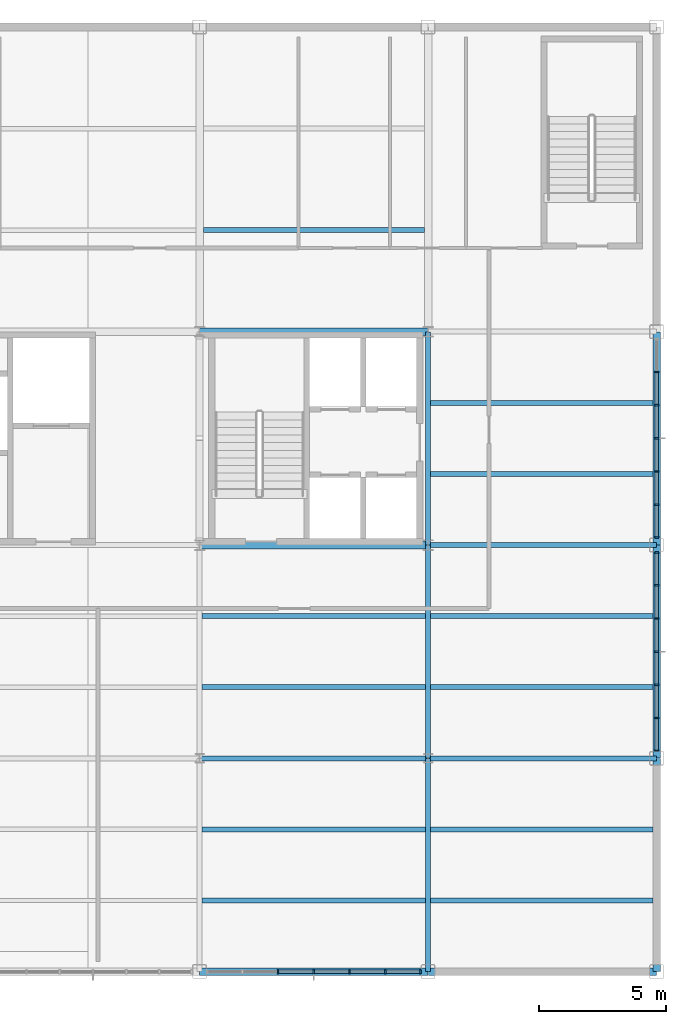
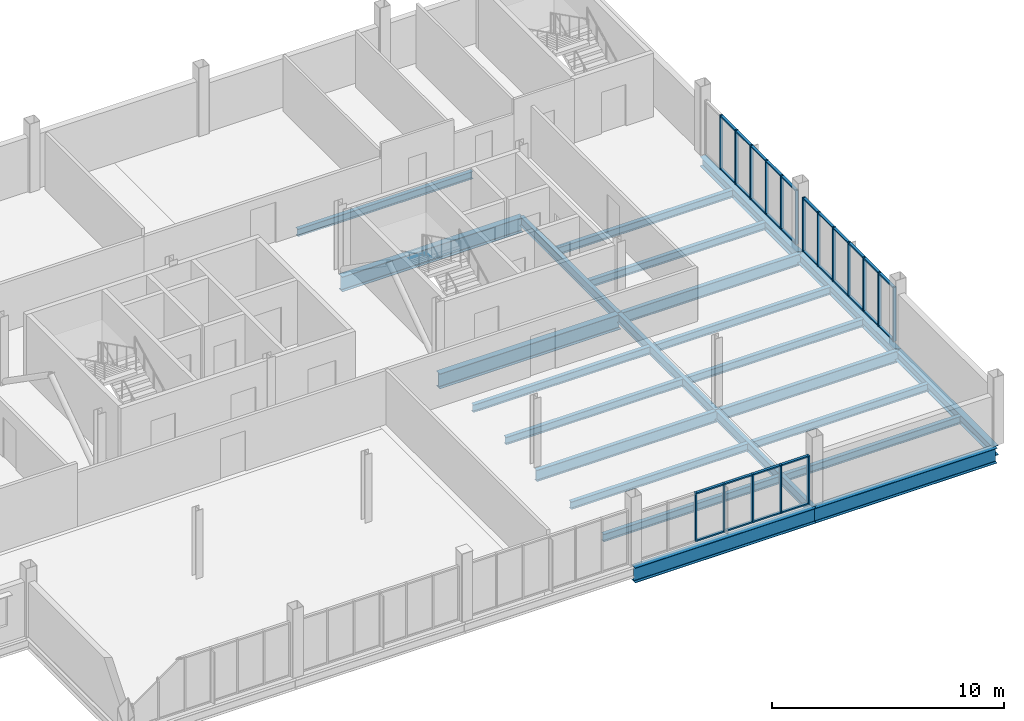
# One storey, part 8 of 18: 48 members, 24 beams, 3 elements without a shape of their own.
"""IFC4 building model written with IfcOpenShell, lengths in metres."""

from ifc_helpers import new_model, si_unit, direction, frame, origin, origin_2d, place, context, subcontext, project, spatial, rectangle, i_section, extrude, material, layer, layer_set, material_profile, profile_set, type_object, element, aggregate, save


model = new_model("IFC4")

# Units and contexts
model_context = context("Model", 3, precision=1e-05, world=origin(), true_north=direction((0.0, 1.0)))
body_context = subcontext(model_context, "Body", "Model", "MODEL_VIEW")
ifc_project = project(units=[si_unit("LENGTHUNIT", "METRE"), si_unit("AREAUNIT", "SQUARE_METRE"), si_unit("VOLUMEUNIT", "CUBIC_METRE"), si_unit("PLANEANGLEUNIT", "RADIAN"), si_unit("MASSUNIT", "GRAM", prefix="KILO")], contexts=[model_context])

# Site, building, storey
site_placement = place(None, origin())
site = spatial("IfcSite", under=ifc_project, at=site_placement, CompositionType="ELEMENT")
building_placement = place(site_placement, origin())
building = spatial("IfcBuilding", under=site, at=building_placement, Name="Yukiwa Park Conservatory and Herbarium", CompositionType="ELEMENT")
storey_placement = place(building_placement, frame((0.0, 0.0, 24.60009765625)))
storey = spatial("IfcBuildingStorey", under=building, at=storey_placement, Name="L06", CompositionType="ELEMENT", Elevation=24.60009765625)

# Beams
ifc_material_1 = material(Name="Steel Q355D", Category="steel")
ifc_material_profile_1 = material_profile(ifc_material_1, i_section(OverallWidth=0.199951171875, OverallDepth=0.5, WebThickness=0.010009765625, FlangeThickness=0.01611328125, FilletRadius=0.02001953125, at=origin_2d()), Name="HN 500x200x10x16")
ifc_profile_set_1 = profile_set([ifc_material_profile_1], Name="Steel Q355D")
beam_type_1 = type_object("IfcBeamType", Name="BM-GRD-HN500", PredefinedType="BEAM", material=ifc_profile_set_1)
for number, where, z_axis, x_axis, name in (
    (1, (159.0, 78.006103515625, -0.5), (0.0, 1.0, 0.0), (-1.0, 0.0, 0.0), "L06 grid girder Y-46"),
    (2, (159.0, 86.406005859375, -0.5), (0.0, 1.0, 0.0), (-1.0, 0.0, 0.0), "L06 grid girder Y-47"),
):
    element("IfcBeam", number, at=place(storey_placement, frame(where, z_axis=z_axis, x_axis=x_axis)), inside=storey, type_object=beam_type_1, Name=name, PredefinedType="BEAM", context=body_context, shape_type="SweptSolid", body=[
        extrude(i_section(OverallWidth=0.199951171875, OverallDepth=0.5, WebThickness=0.010009765625, FlangeThickness=0.01611328125, FilletRadius=0.02001953125, at=origin_2d()), origin(), (0.0, 0.0, 1.0), 8.387939453125),
    ])
beam_1_placement = place(storey_placement, frame((159.0, 94.805908203125, -0.5), z_axis=(0.0, 1.0, 0.0), x_axis=(-1.0, 0.0, 0.0)))
element("IfcBeam", 3, at=beam_1_placement, inside=storey, type_object=beam_type_1, Name="L06 grid girder Y-48", PredefinedType="BEAM", context=body_context, shape_type="SweptSolid", body=[
    extrude(i_section(OverallWidth=0.199951171875, OverallDepth=0.5, WebThickness=0.010009765625, FlangeThickness=0.01611328125, FilletRadius=0.02001953125, at=origin_2d()), origin(), (0.0, 0.0, 1.0), 8.38818359375),
])
ifc_material_2 = material(Name="Steel Q355D", Category="steel")
ifc_material_profile_2 = material_profile(ifc_material_2, i_section(OverallWidth=0.199951171875, OverallDepth=0.60009765625, WebThickness=0.010986328125, FlangeThickness=0.01708984375, FilletRadius=0.02197265625, at=origin_2d()), Name="HN 600x200x11x17")
ifc_profile_set_2 = profile_set([ifc_material_profile_2], Name="Steel Q355D")
beam_type_2 = type_object("IfcBeamType", Name="BM-GRD-HN600", PredefinedType="BEAM", material=ifc_profile_set_2)
for number, where, z_axis, x_axis, name in (
    (4, (150.006103515625, 86.39990234375, -0.550048828125), (1.0, 0.0, 0.0), (0.0, 1.0, 0.0), "L06 grid beam X-10"),
    (5, (159.006103515625, 86.39990234375, -0.550048828125), (1.0, 0.0, 0.0), (0.0, 1.0, 0.0), "L06 grid beam X-11"),
    (6, (159.006103515625, 94.800048828125, -0.550048828125), (1.0, 0.0, 0.0), (0.0, 1.0, 0.0), "L06 grid beam X-17"),
):
    element("IfcBeam", number, at=place(storey_placement, frame(where, z_axis=z_axis, x_axis=x_axis)), inside=storey, type_object=beam_type_2, Name=name, PredefinedType="BEAM", context=body_context, shape_type="SweptSolid", body=[
        extrude(i_section(OverallWidth=0.199951171875, OverallDepth=0.60009765625, WebThickness=0.010986328125, FlangeThickness=0.01708984375, FilletRadius=0.02197265625, at=origin_2d()), origin(), (0.0, 0.0, 1.0), 8.98779296875),
    ])
ifc_material_3 = material(Name="Steel Q355D", Category="steel")
ifc_material_profile_3 = material_profile(ifc_material_3, i_section(OverallWidth=0.198974609375, OverallDepth=0.39599609375, WebThickness=0.007080078125, FlangeThickness=0.010986328125, FilletRadius=0.01611328125, at=origin_2d()), Name="HN 396x199x7x11")
ifc_profile_set_3 = profile_set([ifc_material_profile_3], Name="Steel Q355D")
beam_type_3 = type_object("IfcBeamType", Name="BM-JST-HN396", PredefinedType="JOIST", material=ifc_profile_set_3)
for number, where, z_axis, x_axis, name in (
    (7, (150.095947265625, 80.800048828125, -0.447998046875), (1.0, 0.0, 0.0), (0.0, 1.0, 0.0), "L06 composite floor joist 21"),
    (8, (150.095947265625, 83.60009765625, -0.447998046875), (1.0, 0.0, 0.0), (0.0, 1.0, 0.0), "L06 composite floor joist 22"),
    (9, (150.095947265625, 89.199951171875, -0.447998046875), (1.0, 0.0, 0.0), (0.0, 1.0, 0.0), "L06 composite floor joist 23"),
    (10, (150.095947265625, 92.0, -0.447998046875), (1.0, 0.0, 0.0), (0.0, 1.0, 0.0), "L06 composite floor joist 24"),
):
    element("IfcBeam", number, at=place(storey_placement, frame(where, z_axis=z_axis, x_axis=x_axis)), inside=storey, type_object=beam_type_3, Name=name, PredefinedType="JOIST", context=body_context, shape_type="SweptSolid", body=[
        extrude(i_section(OverallWidth=0.198974609375, OverallDepth=0.39599609375, WebThickness=0.007080078125, FlangeThickness=0.010986328125, FilletRadius=0.01611328125, at=origin_2d()), origin(), (0.0, 0.0, 1.0), 8.80810546875),
    ])
beam_2_placement = place(storey_placement, frame((150.14599609375, 107.199951171875, -0.447998046875), z_axis=(1.0, 0.0, 0.0), x_axis=(0.0, 1.0, 0.0)))
element("IfcBeam", 11, at=beam_2_placement, inside=storey, type_object=beam_type_3, Name="L06 composite floor joist 25", PredefinedType="JOIST", context=body_context, shape_type="SweptSolid", body=[
    extrude(i_section(OverallWidth=0.198974609375, OverallDepth=0.39599609375, WebThickness=0.007080078125, FlangeThickness=0.010986328125, FilletRadius=0.01611328125, at=origin_2d()), origin(), (0.0, 0.0, 1.0), 8.7080078125),
])
for number, where, z_axis, x_axis, name in (
    (12, (159.095947265625, 80.800048828125, -0.447998046875), (1.0, 0.0, 0.0), (0.0, 1.0, 0.0), "L06 composite floor joist 27"),
    (13, (159.095947265625, 83.60009765625, -0.447998046875), (1.0, 0.0, 0.0), (0.0, 1.0, 0.0), "L06 composite floor joist 28"),
    (14, (159.095947265625, 89.199951171875, -0.447998046875), (1.0, 0.0, 0.0), (0.0, 1.0, 0.0), "L06 composite floor joist 29"),
    (15, (159.095947265625, 92.0, -0.447998046875), (1.0, 0.0, 0.0), (0.0, 1.0, 0.0), "L06 composite floor joist 30"),
    (16, (159.095947265625, 97.60009765625, -0.447998046875), (1.0, 0.0, 0.0), (0.0, 1.0, 0.0), "L06 composite floor joist 31"),
    (17, (159.095947265625, 100.39990234375, -0.447998046875), (1.0, 0.0, 0.0), (0.0, 1.0, 0.0), "L06 composite floor joist 32"),
):
    element("IfcBeam", number, at=place(storey_placement, frame(where, z_axis=z_axis, x_axis=x_axis)), inside=storey, type_object=beam_type_3, Name=name, PredefinedType="JOIST", context=body_context, shape_type="SweptSolid", body=[
        extrude(i_section(OverallWidth=0.198974609375, OverallDepth=0.39599609375, WebThickness=0.007080078125, FlangeThickness=0.010986328125, FilletRadius=0.01611328125, at=origin_2d()), origin(), (0.0, 0.0, 1.0), 8.758056640625),
    ])
ifc_material_4 = material(Name="Steel Q355D", Category="steel")
ifc_material_profile_4 = material_profile(ifc_material_4, i_section(OverallWidth=0.300048828125, OverallDepth=0.5, WebThickness=0.010986328125, FlangeThickness=0.01806640625, FilletRadius=0.02392578125, at=origin_2d()), Name="HM 500x300x11x18")
ifc_profile_set_4 = profile_set([ifc_material_profile_4], Name="Steel Q355D")
beam_type_4 = type_object("IfcBeamType", Name="BM-SPN-HN500", PredefinedType="SPANDREL", material=ifc_profile_set_4)
for number, where, z_axis, x_axis, name in (
    (18, (168.0, 78.006103515625, -0.5), (0.0, 1.0, 0.0), (-1.0, 0.0, 0.0), "L06 spandrel girder Y-50"),
    (19, (168.0, 86.406005859375, -0.5), (0.0, 1.0, 0.0), (-1.0, 0.0, 0.0), "L06 spandrel girder Y-51"),
):
    element("IfcBeam", number, at=place(storey_placement, frame(where, z_axis=z_axis, x_axis=x_axis)), inside=storey, type_object=beam_type_4, Name=name, PredefinedType="SPANDREL", context=body_context, shape_type="SweptSolid", body=[
        extrude(i_section(OverallWidth=0.300048828125, OverallDepth=0.5, WebThickness=0.010986328125, FlangeThickness=0.01806640625, FilletRadius=0.02392578125, at=origin_2d()), origin(), (0.0, 0.0, 1.0), 8.387939453125),
    ])
beam_3_placement = place(storey_placement, frame((168.0, 94.805908203125, -0.5), z_axis=(0.0, 1.0, 0.0), x_axis=(-1.0, 0.0, 0.0)))
element("IfcBeam", 20, at=beam_3_placement, inside=storey, type_object=beam_type_4, Name="L06 spandrel girder Y-52", PredefinedType="SPANDREL", context=body_context, shape_type="SweptSolid", body=[
    extrude(i_section(OverallWidth=0.300048828125, OverallDepth=0.5, WebThickness=0.010986328125, FlangeThickness=0.01806640625, FilletRadius=0.02392578125, at=origin_2d()), origin(), (0.0, 0.0, 1.0), 8.38818359375),
])
ifc_material_5 = material(Name="Steel Q355D", Category="steel")
ifc_material_profile_5 = material_profile(ifc_material_5, i_section(OverallWidth=0.300048828125, OverallDepth=0.7919921875, WebThickness=0.013916015625, FlangeThickness=0.02197265625, FilletRadius=0.028076171875, at=origin_2d()), Name="HN 792x300x14x22")
ifc_profile_set_5 = profile_set([ifc_material_profile_5], Name="Steel Q355D")
beam_type_5 = type_object("IfcBeamType", Name="BM-SPN-HN600", PredefinedType="SPANDREL", material=ifc_profile_set_5)
for number, where, z_axis, x_axis, name in (
    (21, (150.006103515625, 78.0, -0.64599609375), (1.0, 0.0, 0.0), (0.0, 1.0, 0.0), "L06 spandrel beam X-4"),
    (22, (159.006103515625, 78.0, -0.64599609375), (1.0, 0.0, 0.0), (0.0, 1.0, 0.0), "L06 spandrel beam X-5"),
    (23, (150.006103515625, 94.800048828125, -0.64599609375), (1.0, 0.0, 0.0), (0.0, 1.0, 0.0), "L06 spandrel beam X-16"),
    (24, (150.006103515625, 103.199951171875, -0.64599609375), (1.0, 0.0, 0.0), (0.0, 1.0, 0.0), "L06 spandrel beam X-22"),
):
    element("IfcBeam", number, at=place(storey_placement, frame(where, z_axis=z_axis, x_axis=x_axis)), inside=storey, type_object=beam_type_5, Name=name, PredefinedType="SPANDREL", context=body_context, shape_type="SweptSolid", body=[
        extrude(i_section(OverallWidth=0.300048828125, OverallDepth=0.7919921875, WebThickness=0.013916015625, FlangeThickness=0.02197265625, FilletRadius=0.028076171875, at=origin_2d()), origin(), (0.0, 0.0, 1.0), 8.98779296875),
    ])

# Curtain wall, members
ifc_material_6 = material(Name="Triple Low-E Insulated Glass", Category="glass")
ifc_layer_1 = layer(ifc_material_6, 0.248046875)
ifc_layer_set_1 = layer_set([ifc_layer_1], Name="Triple Low-E Insulated Glass")
curtain_wall_type_1 = type_object("IfcCurtainWallType", Name="CW-TOWER-LAB-S-1400", PredefinedType="NOTDEFINED", material=ifc_layer_set_1)
curtain_wall_1_placement = place(storey_placement, origin())
curtain_wall_1 = element("IfcCurtainWall", 25, at=curtain_wall_1_placement, inside=storey, type_object=curtain_wall_type_1, Name="L06 unitised curtain wall CW-L06-085", PredefinedType="NOTDEFINED")
ifc_material_7 = material(Name="Anodised Aluminium", Category="aluminium")
member_type_1 = type_object("IfcMemberType", Name="MB-CW-MUL-70X150", PredefinedType="MULLION", material=ifc_material_7)
member_1_placement = place(storey_placement, frame((153.091796875, 78.0, 0.0), z_axis=(0.0, 0.0, 1.0), x_axis=(1.0, 0.0, 0.0)))
member_1 = element("IfcMember", 26, at=member_1_placement, type_object=member_type_1, Name="CW-L06-085 mullion 3", PredefinedType="MULLION", context=body_context, shape_type="SweptSolid", body=[
    extrude(rectangle(XDim=0.070068359375, YDim=0.14990234375, at=origin_2d()), origin(), (0.0, 0.0, 1.0), 2.552978515625),
])
member_2_placement = place(storey_placement, frame((154.5, 78.0, 0.0), z_axis=(0.0, 0.0, 1.0), x_axis=(1.0, 0.0, 0.0)))
member_2 = element("IfcMember", 27, at=member_2_placement, type_object=member_type_1, Name="CW-L06-085 mullion 4", PredefinedType="MULLION", context=body_context, shape_type="SweptSolid", body=[
    extrude(rectangle(XDim=0.070068359375, YDim=0.14990234375, at=origin_2d()), origin(), (0.0, 0.0, 1.0), 2.552978515625),
])
member_3_placement = place(storey_placement, frame((155.908203125, 78.0, 0.0), z_axis=(0.0, 0.0, 1.0), x_axis=(1.0, 0.0, 0.0)))
member_3 = element("IfcMember", 28, at=member_3_placement, type_object=member_type_1, Name="CW-L06-085 mullion 5", PredefinedType="MULLION", context=body_context, shape_type="SweptSolid", body=[
    extrude(rectangle(XDim=0.070068359375, YDim=0.14990234375, at=origin_2d()), origin(), (0.0, 0.0, 1.0), 2.552978515625),
])
member_4_placement = place(storey_placement, frame((157.316650390625, 78.0, 0.0), z_axis=(0.0, 0.0, 1.0), x_axis=(1.0, 0.0, 0.0)))
member_4 = element("IfcMember", 29, at=member_4_placement, type_object=member_type_1, Name="CW-L06-085 mullion 6", PredefinedType="MULLION", context=body_context, shape_type="SweptSolid", body=[
    extrude(rectangle(XDim=0.070068359375, YDim=0.14990234375, at=origin_2d()), origin(), (0.0, 0.0, 1.0), 2.552978515625),
])
member_5_placement = place(storey_placement, frame((158.68994140625, 78.0, 0.0), z_axis=(0.0, 0.0, 1.0), x_axis=(1.0, 0.0, 0.0)))
member_5 = element("IfcMember", 30, at=member_5_placement, type_object=member_type_1, Name="CW-L06-085 mullion 7", PredefinedType="MULLION", context=body_context, shape_type="SweptSolid", body=[
    extrude(rectangle(XDim=0.070068359375, YDim=0.14990234375, at=origin_2d()), origin(), (0.0, 0.0, 1.0), 2.552978515625),
])

ifc_material_8 = material(Name="Triple Low-E Insulated Glass", Category="glass")
ifc_layer_2 = layer(ifc_material_8, 0.22412109375)
ifc_layer_set_2 = layer_set([ifc_layer_2], Name="Triple Low-E Insulated Glass")
curtain_wall_type_2 = type_object("IfcCurtainWallType", Name="CW-TOWER-CORNER-1400", PredefinedType="NOTDEFINED", material=ifc_layer_set_2)
curtain_wall_2_placement = place(storey_placement, origin())
curtain_wall_2 = element("IfcCurtainWall", 31, at=curtain_wall_2_placement, inside=storey, type_object=curtain_wall_type_2, Name="L06 unitised curtain wall CW-L06-086", PredefinedType="NOTDEFINED")
member_6_placement = place(storey_placement, frame((168.0, 86.7099609375, 0.0), z_axis=(0.0, 0.0, 1.0), x_axis=(0.0, 1.0, 0.0)))
member_6 = element("IfcMember", 32, at=member_6_placement, type_object=member_type_1, Name="CW-L06-086 mullion 1", PredefinedType="MULLION", context=body_context, shape_type="SweptSolid", body=[
    extrude(rectangle(XDim=0.070068359375, YDim=0.14990234375, at=origin_2d()), origin(), (0.0, 0.0, 1.0), 2.844970703125),
])
member_7_placement = place(storey_placement, frame((168.0, 87.9833984375, 0.0), z_axis=(0.0, 0.0, 1.0), x_axis=(0.0, 1.0, 0.0)))
member_7 = element("IfcMember", 33, at=member_7_placement, type_object=member_type_1, Name="CW-L06-086 mullion 2", PredefinedType="MULLION", context=body_context, shape_type="SweptSolid", body=[
    extrude(rectangle(XDim=0.070068359375, YDim=0.14990234375, at=origin_2d()), origin(), (0.0, 0.0, 1.0), 2.844970703125),
])
member_8_placement = place(storey_placement, frame((168.0, 89.291748046875, 0.0), z_axis=(0.0, 0.0, 1.0), x_axis=(0.0, 1.0, 0.0)))
member_8 = element("IfcMember", 34, at=member_8_placement, type_object=member_type_1, Name="CW-L06-086 mullion 3", PredefinedType="MULLION", context=body_context, shape_type="SweptSolid", body=[
    extrude(rectangle(XDim=0.070068359375, YDim=0.14990234375, at=origin_2d()), origin(), (0.0, 0.0, 1.0), 2.844970703125),
])
member_9_placement = place(storey_placement, frame((168.0, 90.60009765625, 0.0), z_axis=(0.0, 0.0, 1.0), x_axis=(0.0, 1.0, 0.0)))
member_9 = element("IfcMember", 35, at=member_9_placement, type_object=member_type_1, Name="CW-L06-086 mullion 4", PredefinedType="MULLION", context=body_context, shape_type="SweptSolid", body=[
    extrude(rectangle(XDim=0.070068359375, YDim=0.14990234375, at=origin_2d()), origin(), (0.0, 0.0, 1.0), 2.844970703125),
])
member_10_placement = place(storey_placement, frame((168.0, 91.908203125, 0.0), z_axis=(0.0, 0.0, 1.0), x_axis=(0.0, 1.0, 0.0)))
member_10 = element("IfcMember", 36, at=member_10_placement, type_object=member_type_1, Name="CW-L06-086 mullion 5", PredefinedType="MULLION", context=body_context, shape_type="SweptSolid", body=[
    extrude(rectangle(XDim=0.070068359375, YDim=0.14990234375, at=origin_2d()), origin(), (0.0, 0.0, 1.0), 2.844970703125),
])
member_11_placement = place(storey_placement, frame((168.0, 93.216796875, 0.0), z_axis=(0.0, 0.0, 1.0), x_axis=(0.0, 1.0, 0.0)))
member_11 = element("IfcMember", 37, at=member_11_placement, type_object=member_type_1, Name="CW-L06-086 mullion 6", PredefinedType="MULLION", context=body_context, shape_type="SweptSolid", body=[
    extrude(rectangle(XDim=0.070068359375, YDim=0.14990234375, at=origin_2d()), origin(), (0.0, 0.0, 1.0), 2.844970703125),
])
member_12_placement = place(storey_placement, frame((168.0, 94.489990234375, 0.0), z_axis=(0.0, 0.0, 1.0), x_axis=(0.0, 1.0, 0.0)))
member_12 = element("IfcMember", 38, at=member_12_placement, type_object=member_type_1, Name="CW-L06-086 mullion 7", PredefinedType="MULLION", context=body_context, shape_type="SweptSolid", body=[
    extrude(rectangle(XDim=0.070068359375, YDim=0.14990234375, at=origin_2d()), origin(), (0.0, 0.0, 1.0), 2.844970703125),
])

curtain_wall_3_placement = place(storey_placement, origin())
curtain_wall_3 = element("IfcCurtainWall", 39, at=curtain_wall_3_placement, inside=storey, type_object=curtain_wall_type_2, Name="L06 unitised curtain wall CW-L06-087", PredefinedType="NOTDEFINED")
member_13_placement = place(storey_placement, frame((168.0, 95.110107421875, 0.0), z_axis=(0.0, 0.0, 1.0), x_axis=(0.0, 1.0, 0.0)))
member_13 = element("IfcMember", 40, at=member_13_placement, type_object=member_type_1, Name="CW-L06-087 mullion 1", PredefinedType="MULLION", context=body_context, shape_type="SweptSolid", body=[
    extrude(rectangle(XDim=0.070068359375, YDim=0.14990234375, at=origin_2d()), origin(), (0.0, 0.0, 1.0), 2.844970703125),
])
member_14_placement = place(storey_placement, frame((168.0, 96.38330078125, 0.0), z_axis=(0.0, 0.0, 1.0), x_axis=(0.0, 1.0, 0.0)))
member_14 = element("IfcMember", 41, at=member_14_placement, type_object=member_type_1, Name="CW-L06-087 mullion 2", PredefinedType="MULLION", context=body_context, shape_type="SweptSolid", body=[
    extrude(rectangle(XDim=0.070068359375, YDim=0.14990234375, at=origin_2d()), origin(), (0.0, 0.0, 1.0), 2.844970703125),
])
member_15_placement = place(storey_placement, frame((168.0, 97.691650390625, 0.0), z_axis=(0.0, 0.0, 1.0), x_axis=(0.0, 1.0, 0.0)))
member_15 = element("IfcMember", 42, at=member_15_placement, type_object=member_type_1, Name="CW-L06-087 mullion 3", PredefinedType="MULLION", context=body_context, shape_type="SweptSolid", body=[
    extrude(rectangle(XDim=0.070068359375, YDim=0.14990234375, at=origin_2d()), origin(), (0.0, 0.0, 1.0), 2.844970703125),
])
member_16_placement = place(storey_placement, frame((168.0, 99.0, 0.0), z_axis=(0.0, 0.0, 1.0), x_axis=(0.0, 1.0, 0.0)))
member_16 = element("IfcMember", 43, at=member_16_placement, type_object=member_type_1, Name="CW-L06-087 mullion 4", PredefinedType="MULLION", context=body_context, shape_type="SweptSolid", body=[
    extrude(rectangle(XDim=0.070068359375, YDim=0.14990234375, at=origin_2d()), origin(), (0.0, 0.0, 1.0), 2.844970703125),
])
member_17_placement = place(storey_placement, frame((168.0, 100.308349609375, 0.0), z_axis=(0.0, 0.0, 1.0), x_axis=(0.0, 1.0, 0.0)))
member_17 = element("IfcMember", 44, at=member_17_placement, type_object=member_type_1, Name="CW-L06-087 mullion 5", PredefinedType="MULLION", context=body_context, shape_type="SweptSolid", body=[
    extrude(rectangle(XDim=0.070068359375, YDim=0.14990234375, at=origin_2d()), origin(), (0.0, 0.0, 1.0), 2.844970703125),
])
member_18_placement = place(storey_placement, frame((168.0, 101.61669921875, 0.0), z_axis=(0.0, 0.0, 1.0), x_axis=(0.0, 1.0, 0.0)))
member_18 = element("IfcMember", 45, at=member_18_placement, type_object=member_type_1, Name="CW-L06-087 mullion 6", PredefinedType="MULLION", context=body_context, shape_type="SweptSolid", body=[
    extrude(rectangle(XDim=0.070068359375, YDim=0.14990234375, at=origin_2d()), origin(), (0.0, 0.0, 1.0), 2.844970703125),
])

# Member
ifc_material_9 = material(Name="Anodised Aluminium", Category="aluminium")
member_type_2 = type_object("IfcMemberType", Name="MB-CW-TRN-70X130", PredefinedType="USERDEFINED", material=ifc_material_9)
member_19_placement = place(storey_placement, frame((153.7958984375, 78.0, 0.0), z_axis=(0.0, 0.0, 1.0), x_axis=(1.0, 0.0, 0.0)))
member_19 = element("IfcMember", 46, at=member_19_placement, type_object=member_type_2, Name="CW-L06-085 transom 3.1", ObjectType="TRANSOM", PredefinedType="USERDEFINED", context=body_context, shape_type="SweptSolid", body=[
    extrude(rectangle(XDim=1.33837890625, YDim=0.1298828125, at=origin_2d()), origin(), (0.0, 0.0, 1.0), 0.070068359375),
])

member_20_placement = place(storey_placement, frame((153.7958984375, 78.0, 2.48291015625), z_axis=(0.0, 0.0, 1.0), x_axis=(1.0, 0.0, 0.0)))
member_20 = element("IfcMember", 47, at=member_20_placement, type_object=member_type_2, Name="CW-L06-085 transom 3.2", ObjectType="TRANSOM", PredefinedType="USERDEFINED", context=body_context, shape_type="SweptSolid", body=[
    extrude(rectangle(XDim=1.33837890625, YDim=0.1298828125, at=origin_2d()), origin(), (0.0, 0.0, 1.0), 0.070068359375),
])

member_21_placement = place(storey_placement, frame((155.2041015625, 78.0, 0.0), z_axis=(0.0, 0.0, 1.0), x_axis=(1.0, 0.0, 0.0)))
member_21 = element("IfcMember", 48, at=member_21_placement, type_object=member_type_2, Name="CW-L06-085 transom 4.1", ObjectType="TRANSOM", PredefinedType="USERDEFINED", context=body_context, shape_type="SweptSolid", body=[
    extrude(rectangle(XDim=1.33837890625, YDim=0.1298828125, at=origin_2d()), origin(), (0.0, 0.0, 1.0), 0.070068359375),
])

member_22_placement = place(storey_placement, frame((155.2041015625, 78.0, 2.48291015625), z_axis=(0.0, 0.0, 1.0), x_axis=(1.0, 0.0, 0.0)))
member_22 = element("IfcMember", 49, at=member_22_placement, type_object=member_type_2, Name="CW-L06-085 transom 4.2", ObjectType="TRANSOM", PredefinedType="USERDEFINED", context=body_context, shape_type="SweptSolid", body=[
    extrude(rectangle(XDim=1.33837890625, YDim=0.1298828125, at=origin_2d()), origin(), (0.0, 0.0, 1.0), 0.070068359375),
])

member_23_placement = place(storey_placement, frame((156.612548828125, 78.0, 0.0), z_axis=(0.0, 0.0, 1.0), x_axis=(1.0, 0.0, 0.0)))
member_23 = element("IfcMember", 50, at=member_23_placement, type_object=member_type_2, Name="CW-L06-085 transom 5.1", ObjectType="TRANSOM", PredefinedType="USERDEFINED", context=body_context, shape_type="SweptSolid", body=[
    extrude(rectangle(XDim=1.33837890625, YDim=0.1298828125, at=origin_2d()), origin(), (0.0, 0.0, 1.0), 0.070068359375),
])

member_24_placement = place(storey_placement, frame((156.612548828125, 78.0, 2.48291015625), z_axis=(0.0, 0.0, 1.0), x_axis=(1.0, 0.0, 0.0)))
member_24 = element("IfcMember", 51, at=member_24_placement, type_object=member_type_2, Name="CW-L06-085 transom 5.2", ObjectType="TRANSOM", PredefinedType="USERDEFINED", context=body_context, shape_type="SweptSolid", body=[
    extrude(rectangle(XDim=1.33837890625, YDim=0.1298828125, at=origin_2d()), origin(), (0.0, 0.0, 1.0), 0.070068359375),
])

member_25_placement = place(storey_placement, frame((158.020751953125, 78.0, 0.0), z_axis=(0.0, 0.0, 1.0), x_axis=(1.0, 0.0, 0.0)))
member_25 = element("IfcMember", 52, at=member_25_placement, type_object=member_type_2, Name="CW-L06-085 transom 6.1", ObjectType="TRANSOM", PredefinedType="USERDEFINED", context=body_context, shape_type="SweptSolid", body=[
    extrude(rectangle(XDim=1.33837890625, YDim=0.1298828125, at=origin_2d()), origin(), (0.0, 0.0, 1.0), 0.070068359375),
])

member_26_placement = place(storey_placement, frame((158.020751953125, 78.0, 2.48291015625), z_axis=(0.0, 0.0, 1.0), x_axis=(1.0, 0.0, 0.0)))
member_26 = element("IfcMember", 53, at=member_26_placement, type_object=member_type_2, Name="CW-L06-085 transom 6.2", ObjectType="TRANSOM", PredefinedType="USERDEFINED", context=body_context, shape_type="SweptSolid", body=[
    extrude(rectangle(XDim=1.33837890625, YDim=0.1298828125, at=origin_2d()), origin(), (0.0, 0.0, 1.0), 0.070068359375),
])

aggregate(curtain_wall_1, [member_1, member_2, member_3, member_4, member_5, member_19, member_20, member_21, member_22, member_23, member_24, member_25, member_26])

member_27_placement = place(storey_placement, frame((168.0, 87.3291015625, 0.0), z_axis=(0.0, 0.0, 1.0), x_axis=(0.0, 1.0, 0.0)))
member_27 = element("IfcMember", 54, at=member_27_placement, type_object=member_type_2, Name="CW-L06-086 transom 1.1", ObjectType="TRANSOM", PredefinedType="USERDEFINED", context=body_context, shape_type="SweptSolid", body=[
    extrude(rectangle(XDim=1.23828125, YDim=0.1298828125, at=origin_2d()), origin(), (0.0, 0.0, 1.0), 0.070068359375),
])

member_28_placement = place(storey_placement, frame((168.0, 87.3291015625, 2.77490234375), z_axis=(0.0, 0.0, 1.0), x_axis=(0.0, 1.0, 0.0)))
member_28 = element("IfcMember", 55, at=member_28_placement, type_object=member_type_2, Name="CW-L06-086 transom 1.2", ObjectType="TRANSOM", PredefinedType="USERDEFINED", context=body_context, shape_type="SweptSolid", body=[
    extrude(rectangle(XDim=1.23828125, YDim=0.1298828125, at=origin_2d()), origin(), (0.0, 0.0, 1.0), 0.070068359375),
])

member_29_placement = place(storey_placement, frame((168.0, 88.637451171875, 0.0), z_axis=(0.0, 0.0, 1.0), x_axis=(0.0, 1.0, 0.0)))
member_29 = element("IfcMember", 56, at=member_29_placement, type_object=member_type_2, Name="CW-L06-086 transom 2.1", ObjectType="TRANSOM", PredefinedType="USERDEFINED", context=body_context, shape_type="SweptSolid", body=[
    extrude(rectangle(XDim=1.23828125, YDim=0.1298828125, at=origin_2d()), origin(), (0.0, 0.0, 1.0), 0.070068359375),
])

member_30_placement = place(storey_placement, frame((168.0, 88.637451171875, 2.77490234375), z_axis=(0.0, 0.0, 1.0), x_axis=(0.0, 1.0, 0.0)))
member_30 = element("IfcMember", 57, at=member_30_placement, type_object=member_type_2, Name="CW-L06-086 transom 2.2", ObjectType="TRANSOM", PredefinedType="USERDEFINED", context=body_context, shape_type="SweptSolid", body=[
    extrude(rectangle(XDim=1.23828125, YDim=0.1298828125, at=origin_2d()), origin(), (0.0, 0.0, 1.0), 0.070068359375),
])

member_31_placement = place(storey_placement, frame((168.0, 89.94580078125, 0.0), z_axis=(0.0, 0.0, 1.0), x_axis=(0.0, 1.0, 0.0)))
member_31 = element("IfcMember", 58, at=member_31_placement, type_object=member_type_2, Name="CW-L06-086 transom 3.1", ObjectType="TRANSOM", PredefinedType="USERDEFINED", context=body_context, shape_type="SweptSolid", body=[
    extrude(rectangle(XDim=1.23828125, YDim=0.1298828125, at=origin_2d()), origin(), (0.0, 0.0, 1.0), 0.070068359375),
])

member_32_placement = place(storey_placement, frame((168.0, 89.94580078125, 2.77490234375), z_axis=(0.0, 0.0, 1.0), x_axis=(0.0, 1.0, 0.0)))
member_32 = element("IfcMember", 59, at=member_32_placement, type_object=member_type_2, Name="CW-L06-086 transom 3.2", ObjectType="TRANSOM", PredefinedType="USERDEFINED", context=body_context, shape_type="SweptSolid", body=[
    extrude(rectangle(XDim=1.23828125, YDim=0.1298828125, at=origin_2d()), origin(), (0.0, 0.0, 1.0), 0.070068359375),
])

member_33_placement = place(storey_placement, frame((168.0, 91.254150390625, 0.0), z_axis=(0.0, 0.0, 1.0), x_axis=(0.0, 1.0, 0.0)))
member_33 = element("IfcMember", 60, at=member_33_placement, type_object=member_type_2, Name="CW-L06-086 transom 4.1", ObjectType="TRANSOM", PredefinedType="USERDEFINED", context=body_context, shape_type="SweptSolid", body=[
    extrude(rectangle(XDim=1.23828125, YDim=0.1298828125, at=origin_2d()), origin(), (0.0, 0.0, 1.0), 0.070068359375),
])

member_34_placement = place(storey_placement, frame((168.0, 91.254150390625, 2.77490234375), z_axis=(0.0, 0.0, 1.0), x_axis=(0.0, 1.0, 0.0)))
member_34 = element("IfcMember", 61, at=member_34_placement, type_object=member_type_2, Name="CW-L06-086 transom 4.2", ObjectType="TRANSOM", PredefinedType="USERDEFINED", context=body_context, shape_type="SweptSolid", body=[
    extrude(rectangle(XDim=1.23828125, YDim=0.1298828125, at=origin_2d()), origin(), (0.0, 0.0, 1.0), 0.070068359375),
])

member_35_placement = place(storey_placement, frame((168.0, 92.5625, 0.0), z_axis=(0.0, 0.0, 1.0), x_axis=(0.0, 1.0, 0.0)))
member_35 = element("IfcMember", 62, at=member_35_placement, type_object=member_type_2, Name="CW-L06-086 transom 5.1", ObjectType="TRANSOM", PredefinedType="USERDEFINED", context=body_context, shape_type="SweptSolid", body=[
    extrude(rectangle(XDim=1.23828125, YDim=0.1298828125, at=origin_2d()), origin(), (0.0, 0.0, 1.0), 0.070068359375),
])

member_36_placement = place(storey_placement, frame((168.0, 92.5625, 2.77490234375), z_axis=(0.0, 0.0, 1.0), x_axis=(0.0, 1.0, 0.0)))
member_36 = element("IfcMember", 63, at=member_36_placement, type_object=member_type_2, Name="CW-L06-086 transom 5.2", ObjectType="TRANSOM", PredefinedType="USERDEFINED", context=body_context, shape_type="SweptSolid", body=[
    extrude(rectangle(XDim=1.23828125, YDim=0.1298828125, at=origin_2d()), origin(), (0.0, 0.0, 1.0), 0.070068359375),
])

member_37_placement = place(storey_placement, frame((168.0, 93.870849609375, 0.0), z_axis=(0.0, 0.0, 1.0), x_axis=(0.0, 1.0, 0.0)))
member_37 = element("IfcMember", 64, at=member_37_placement, type_object=member_type_2, Name="CW-L06-086 transom 6.1", ObjectType="TRANSOM", PredefinedType="USERDEFINED", context=body_context, shape_type="SweptSolid", body=[
    extrude(rectangle(XDim=1.23828125, YDim=0.1298828125, at=origin_2d()), origin(), (0.0, 0.0, 1.0), 0.070068359375),
])

member_38_placement = place(storey_placement, frame((168.0, 93.870849609375, 2.77490234375), z_axis=(0.0, 0.0, 1.0), x_axis=(0.0, 1.0, 0.0)))
member_38 = element("IfcMember", 65, at=member_38_placement, type_object=member_type_2, Name="CW-L06-086 transom 6.2", ObjectType="TRANSOM", PredefinedType="USERDEFINED", context=body_context, shape_type="SweptSolid", body=[
    extrude(rectangle(XDim=1.23828125, YDim=0.1298828125, at=origin_2d()), origin(), (0.0, 0.0, 1.0), 0.070068359375),
])

aggregate(curtain_wall_2, [member_6, member_7, member_8, member_9, member_10, member_11, member_12, member_27, member_28, member_29, member_30, member_31, member_32, member_33, member_34, member_35, member_36, member_37, member_38])

member_39_placement = place(storey_placement, frame((168.0, 95.729248046875, 0.0), z_axis=(0.0, 0.0, 1.0), x_axis=(0.0, 1.0, 0.0)))
member_39 = element("IfcMember", 66, at=member_39_placement, type_object=member_type_2, Name="CW-L06-087 transom 1.1", ObjectType="TRANSOM", PredefinedType="USERDEFINED", context=body_context, shape_type="SweptSolid", body=[
    extrude(rectangle(XDim=1.23828125, YDim=0.1298828125, at=origin_2d()), origin(), (0.0, 0.0, 1.0), 0.070068359375),
])

member_40_placement = place(storey_placement, frame((168.0, 95.729248046875, 2.77490234375), z_axis=(0.0, 0.0, 1.0), x_axis=(0.0, 1.0, 0.0)))
member_40 = element("IfcMember", 67, at=member_40_placement, type_object=member_type_2, Name="CW-L06-087 transom 1.2", ObjectType="TRANSOM", PredefinedType="USERDEFINED", context=body_context, shape_type="SweptSolid", body=[
    extrude(rectangle(XDim=1.23828125, YDim=0.1298828125, at=origin_2d()), origin(), (0.0, 0.0, 1.0), 0.070068359375),
])

member_41_placement = place(storey_placement, frame((168.0, 97.03759765625, 0.0), z_axis=(0.0, 0.0, 1.0), x_axis=(0.0, 1.0, 0.0)))
member_41 = element("IfcMember", 68, at=member_41_placement, type_object=member_type_2, Name="CW-L06-087 transom 2.1", ObjectType="TRANSOM", PredefinedType="USERDEFINED", context=body_context, shape_type="SweptSolid", body=[
    extrude(rectangle(XDim=1.23828125, YDim=0.1298828125, at=origin_2d()), origin(), (0.0, 0.0, 1.0), 0.070068359375),
])

member_42_placement = place(storey_placement, frame((168.0, 97.03759765625, 2.77490234375), z_axis=(0.0, 0.0, 1.0), x_axis=(0.0, 1.0, 0.0)))
member_42 = element("IfcMember", 69, at=member_42_placement, type_object=member_type_2, Name="CW-L06-087 transom 2.2", ObjectType="TRANSOM", PredefinedType="USERDEFINED", context=body_context, shape_type="SweptSolid", body=[
    extrude(rectangle(XDim=1.23828125, YDim=0.1298828125, at=origin_2d()), origin(), (0.0, 0.0, 1.0), 0.070068359375),
])

member_43_placement = place(storey_placement, frame((168.0, 98.345703125, 0.0), z_axis=(0.0, 0.0, 1.0), x_axis=(0.0, 1.0, 0.0)))
member_43 = element("IfcMember", 70, at=member_43_placement, type_object=member_type_2, Name="CW-L06-087 transom 3.1", ObjectType="TRANSOM", PredefinedType="USERDEFINED", context=body_context, shape_type="SweptSolid", body=[
    extrude(rectangle(XDim=1.23828125, YDim=0.1298828125, at=origin_2d()), origin(), (0.0, 0.0, 1.0), 0.070068359375),
])

member_44_placement = place(storey_placement, frame((168.0, 98.345703125, 2.77490234375), z_axis=(0.0, 0.0, 1.0), x_axis=(0.0, 1.0, 0.0)))
member_44 = element("IfcMember", 71, at=member_44_placement, type_object=member_type_2, Name="CW-L06-087 transom 3.2", ObjectType="TRANSOM", PredefinedType="USERDEFINED", context=body_context, shape_type="SweptSolid", body=[
    extrude(rectangle(XDim=1.23828125, YDim=0.1298828125, at=origin_2d()), origin(), (0.0, 0.0, 1.0), 0.070068359375),
])

member_45_placement = place(storey_placement, frame((168.0, 99.654296875, 0.0), z_axis=(0.0, 0.0, 1.0), x_axis=(0.0, 1.0, 0.0)))
member_45 = element("IfcMember", 72, at=member_45_placement, type_object=member_type_2, Name="CW-L06-087 transom 4.1", ObjectType="TRANSOM", PredefinedType="USERDEFINED", context=body_context, shape_type="SweptSolid", body=[
    extrude(rectangle(XDim=1.23828125, YDim=0.1298828125, at=origin_2d()), origin(), (0.0, 0.0, 1.0), 0.070068359375),
])

member_46_placement = place(storey_placement, frame((168.0, 99.654296875, 2.77490234375), z_axis=(0.0, 0.0, 1.0), x_axis=(0.0, 1.0, 0.0)))
member_46 = element("IfcMember", 73, at=member_46_placement, type_object=member_type_2, Name="CW-L06-087 transom 4.2", ObjectType="TRANSOM", PredefinedType="USERDEFINED", context=body_context, shape_type="SweptSolid", body=[
    extrude(rectangle(XDim=1.23828125, YDim=0.1298828125, at=origin_2d()), origin(), (0.0, 0.0, 1.0), 0.070068359375),
])

member_47_placement = place(storey_placement, frame((168.0, 100.96240234375, 0.0), z_axis=(0.0, 0.0, 1.0), x_axis=(0.0, 1.0, 0.0)))
member_47 = element("IfcMember", 74, at=member_47_placement, type_object=member_type_2, Name="CW-L06-087 transom 5.1", ObjectType="TRANSOM", PredefinedType="USERDEFINED", context=body_context, shape_type="SweptSolid", body=[
    extrude(rectangle(XDim=1.23828125, YDim=0.1298828125, at=origin_2d()), origin(), (0.0, 0.0, 1.0), 0.070068359375),
])

member_48_placement = place(storey_placement, frame((168.0, 100.96240234375, 2.77490234375), z_axis=(0.0, 0.0, 1.0), x_axis=(0.0, 1.0, 0.0)))
member_48 = element("IfcMember", 75, at=member_48_placement, type_object=member_type_2, Name="CW-L06-087 transom 5.2", ObjectType="TRANSOM", PredefinedType="USERDEFINED", context=body_context, shape_type="SweptSolid", body=[
    extrude(rectangle(XDim=1.23828125, YDim=0.1298828125, at=origin_2d()), origin(), (0.0, 0.0, 1.0), 0.070068359375),
])

aggregate(curtain_wall_3, [member_13, member_14, member_15, member_16, member_17, member_18, member_39, member_40, member_41, member_42, member_43, member_44, member_45, member_46, member_47, member_48])

save(model, "model.ifc")
